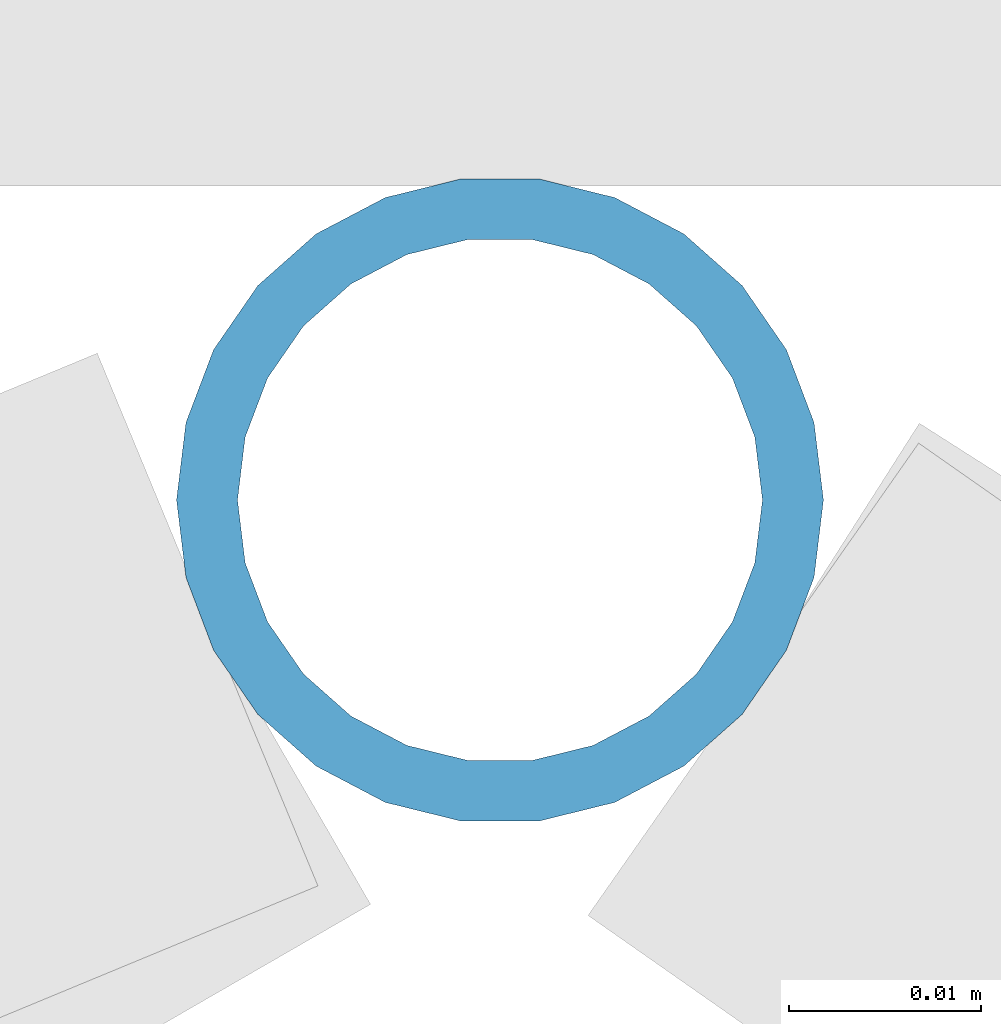
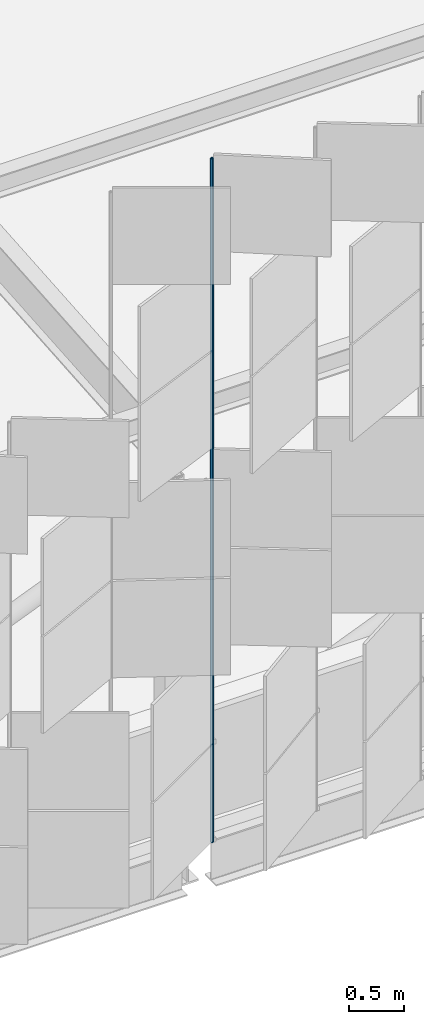
# One storey, part 223 of 483: 1 discrete accessory.
"""IFC4 building model written with IfcOpenShell, lengths in metres."""

from ifc_helpers import new_model, si_unit, direction, frame, origin, origin_2d, place, context, subcontext, project, spatial, hollow_circle, extrude, material, material_profile, profile_set, type_object, element, save


model = new_model("IFC4")

# Units and contexts
model_context = context("Model", 3, precision=1e-05, world=origin(), true_north=direction((0.0, 1.0)))
body_context = subcontext(model_context, "Body", "Model", "MODEL_VIEW")
ifc_project = project(units=[si_unit("LENGTHUNIT", "METRE"), si_unit("AREAUNIT", "SQUARE_METRE"), si_unit("VOLUMEUNIT", "CUBIC_METRE"), si_unit("PLANEANGLEUNIT", "RADIAN"), si_unit("MASSUNIT", "GRAM", prefix="KILO")], contexts=[model_context])

# Site, building, storey
site_placement = place(None, origin())
site = spatial("IfcSite", under=ifc_project, at=site_placement, CompositionType="ELEMENT")
building_placement = place(site_placement, origin())
building = spatial("IfcBuilding", under=site, at=building_placement, Name="Parallax Yard Mobility Hub", CompositionType="ELEMENT")
storey_placement = place(building_placement, frame((0.0, 0.0, 13.199951171875)))
storey = spatial("IfcBuildingStorey", under=building, at=storey_placement, Name="L04", CompositionType="ELEMENT", Elevation=13.199951171875)

# Discrete accessory
ifc_material = material(Name="Steel ASTM A500 Gr C, hot-dip galvanised", Category="steel")
ifc_material_profile = material_profile(ifc_material, hollow_circle(Radius=0.016845703125, WallThickness=0.003173828125, at=origin_2d()), Name="CHS 33.7x3.2")
ifc_profile_set = profile_set([ifc_material_profile], Name="Steel ASTM A500 Gr C, hot-dip galvanised")
discrete_accessory_type = type_object("IfcDiscreteAccessoryType", Name="Hinge post CHS 33.7x3.2", PredefinedType="BRACKET", material=ifc_profile_set)
discrete_accessory_placement = place(storey_placement, frame((157.494140625, 112.199951171875, 0.0), z_axis=(0.0, 0.0, 1.0), x_axis=(1.0, 0.0, 0.0)))
element("IfcDiscreteAccessory", 1, at=discrete_accessory_placement, inside=storey, type_object=discrete_accessory_type, Name="Hinge post bay 16.1 level L04", PredefinedType="BRACKET", context=body_context, shape_type="SweptSolid", body=[
    extrude(hollow_circle(Radius=0.016845703125, WallThickness=0.003173828125, at=origin_2d()), origin(), (0.0, 0.0, 1.0), 7.650146484375),
])

save(model, "model.ifc")
